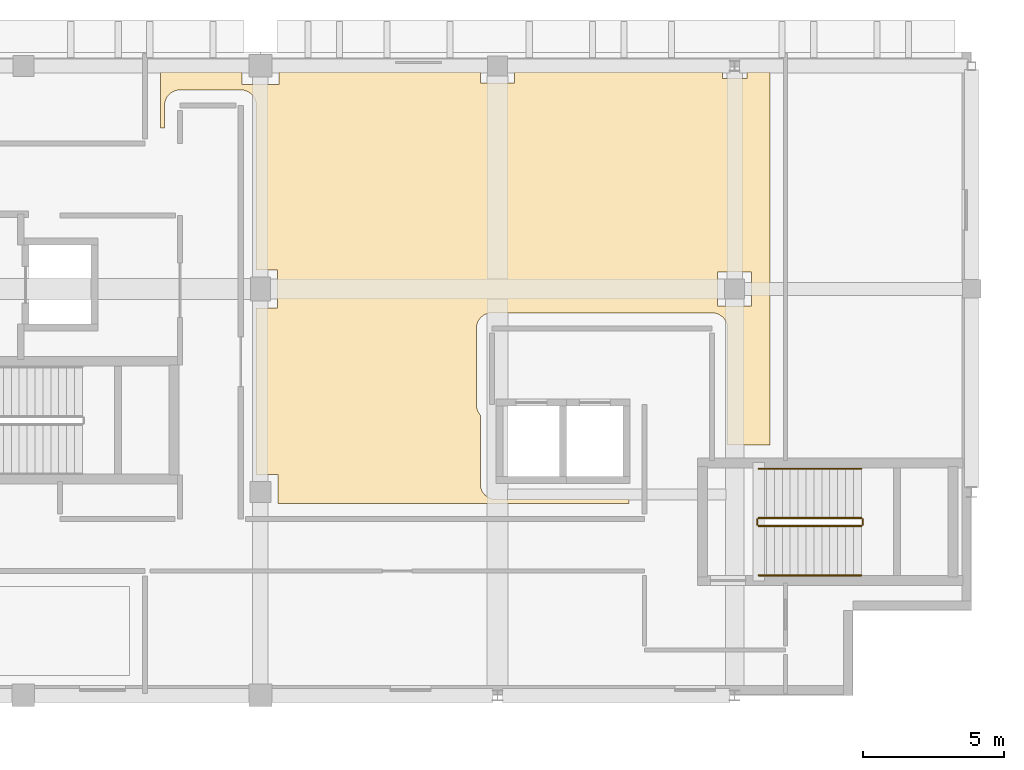
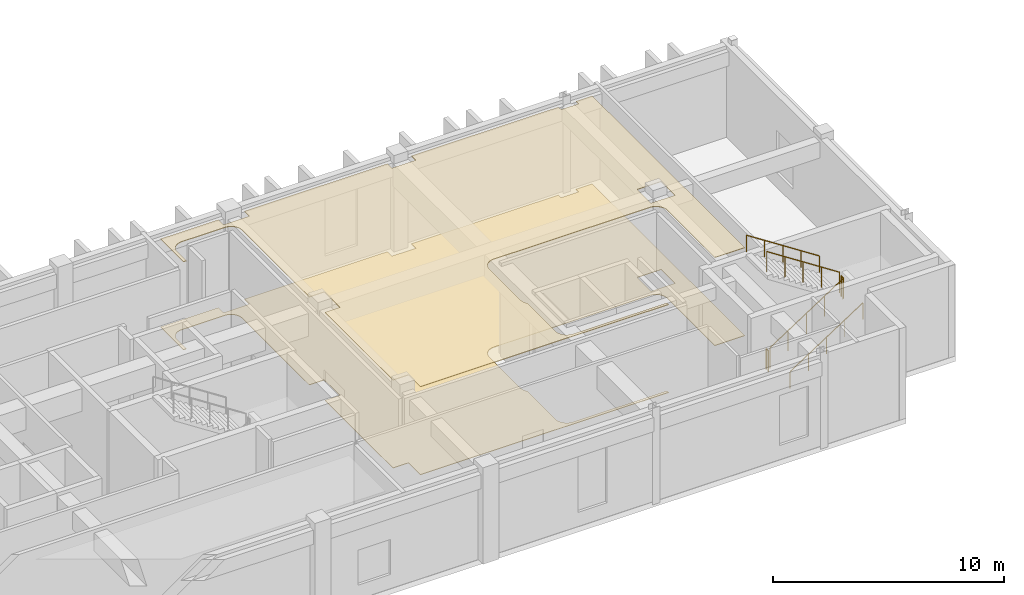
# One storey, part 77 of 78: 6 railings, 2 coverings.
"""IFC4 building model written with IfcOpenShell, lengths in metres."""

from ifc_helpers import new_model, si_unit, direction, frame, origin, origin_2d, place, context, subcontext, project, spatial, polyline, circle, outline, extrude, material, layer, layer_set, type_object, element, save


model = new_model("IFC4")

# Units and contexts
model_context = context("Model", 3, precision=1e-05, world=origin(), true_north=direction((0.0, 1.0)))
body_context = subcontext(model_context, "Body", "Model", "MODEL_VIEW")
ifc_project = project(units=[si_unit("LENGTHUNIT", "METRE"), si_unit("AREAUNIT", "SQUARE_METRE"), si_unit("VOLUMEUNIT", "CUBIC_METRE"), si_unit("PLANEANGLEUNIT", "RADIAN"), si_unit("MASSUNIT", "GRAM", prefix="KILO")], contexts=[model_context])

# Site, building, storey
site_placement = place(None, origin())
site = spatial("IfcSite", under=ifc_project, at=site_placement, CompositionType="ELEMENT")
building_placement = place(site_placement, origin())
building = spatial("IfcBuilding", under=site, at=building_placement, Name="Quendrovan Civic Courthouse", CompositionType="ELEMENT")
storey_placement = place(building_placement, frame((0.0, 0.0, 20.39990234375)))
storey = spatial("IfcBuildingStorey", under=building, at=storey_placement, Name="L05", CompositionType="ELEMENT", Elevation=20.39990234375)

# Coverings
ifc_material_1 = material(Name="Perforated Western Red Cedar and mineral acoustic ceiling")
ifc_layer_1 = layer(ifc_material_1, 0.034912109375, Name="Perforated Western Red Cedar and mineral acoustic ceiling")
ifc_layer_set_1 = layer_set([ifc_layer_1], Name="Perforated Western Red Cedar and mineral acoustic ceiling")
covering_type_1 = type_object("IfcCoveringType", Name="COV-CEIL-ACOUSTIC", PredefinedType="CEILING", material=ifc_layer_set_1)
covering_1_placement = place(storey_placement, frame((0.0, 0.0, 4.64501953125)))
element("IfcCovering", 1, at=covering_1_placement, inside=storey, type_object=covering_type_1, Name="L05 Criminal Courtroom 2 Acoustic Ceiling", PredefinedType="CEILING", context=body_context, shape_type="SweptSolid", body=[
    extrude(outline(polyline([(75.240234375, 101.126220703125), (75.189453125, 101.108154296875), (75.140625, 101.085205078125), (75.094482421875, 101.057373046875), (75.051025390625, 101.025146484375), (75.010986328125, 100.989013671875), (74.974853515625, 100.948974609375), (74.942626953125, 100.905517578125), (74.914794921875, 100.859375), (74.891845703125, 100.810546875), (74.873779296875, 100.759765625), (74.860595703125, 100.707275390625), (74.8525390625, 100.65380859375), (74.85009765625, 100.60009765625), (74.85009765625, 97.89990234375), (74.8525390625, 97.84619140625), (74.860595703125, 97.792724609375), (74.873779296875, 97.740234375), (74.891845703125, 97.689453125), (74.914794921875, 97.640625), (74.942626953125, 97.594482421875), (74.974853515625, 97.551025390625), (74.989990234375, 97.534423828125), (74.989990234375, 95.090087890625), (74.99267578125, 95.0361328125), (75.00048828125, 94.982666015625), (75.013671875, 94.930419921875), (75.031982421875, 94.87939453125), (75.054931640625, 94.830810546875), (75.082763671875, 94.784423828125), (75.11474609375, 94.7412109375), (75.151123046875, 94.701171875), (75.191162109375, 94.664794921875), (75.234375, 94.6328125), (75.28076171875, 94.60498046875), (75.32958984375, 94.581787109375), (75.38037109375, 94.563720703125), (75.4326171875, 94.550537109375), (75.486083984375, 94.54248046875), (75.5400390625, 94.5400390625), (80.25, 94.5400390625), (80.25, 94.39990234375), (67.824951171875, 94.39990234375), (67.824951171875, 95.425048828125), (67.050048828125, 95.425048828125), (67.050048828125, 101.324951171875), (67.800048828125, 101.324951171875), (67.800048828125, 102.675048828125), (67.050048828125, 102.675048828125), (67.050048828125, 108.5), (67.04736328125, 108.553955078125), (67.039306640625, 108.607421875), (67.0263671875, 108.65966796875), (67.008056640625, 108.71044921875), (66.985107421875, 108.75927734375), (66.957275390625, 108.8056640625), (66.92529296875, 108.848876953125), (66.888916015625, 108.888916015625), (66.848876953125, 108.92529296875), (66.8056640625, 108.957275390625), (66.75927734375, 108.985107421875), (66.71044921875, 109.008056640625), (66.65966796875, 109.0263671875), (66.607421875, 109.039306640625), (66.553955078125, 109.04736328125), (66.5, 109.050048828125), (64.35009765625, 109.050048828125), (64.296142578125, 109.04736328125), (64.24267578125, 109.039306640625), (64.190185546875, 109.0263671875), (64.139404296875, 109.008056640625), (64.0908203125, 108.985107421875), (64.04443359375, 108.957275390625), (64.001220703125, 108.92529296875), (63.961181640625, 108.888916015625), (63.9248046875, 108.848876953125), (63.892578125, 108.8056640625), (63.864990234375, 108.75927734375), (63.841796875, 108.71044921875), (63.82373046875, 108.65966796875), (63.810546875, 108.607421875), (63.802490234375, 108.553955078125), (63.800048828125, 108.5), (63.800048828125, 107.699951171875), (63.659912109375, 107.699951171875), (63.659912109375, 109.68994140625), (66.550048828125, 109.68994140625), (66.550048828125, 109.25), (67.85009765625, 109.25), (67.85009765625, 109.68994140625), (75.0, 109.68994140625), (75.0, 109.300048828125), (76.199951171875, 109.300048828125), (76.199951171875, 109.68994140625), (83.56298828125, 109.68994140625), (83.56298828125, 109.464111328125), (84.43701171875, 109.464111328125), (84.43701171875, 109.68994140625), (85.25, 109.68994140625), (85.25, 96.469970703125), (83.75, 96.469970703125), (83.75, 100.60009765625), (83.747314453125, 100.65380859375), (83.739501953125, 100.707275390625), (83.726318359375, 100.759765625), (83.7080078125, 100.810546875), (83.68505859375, 100.859375), (83.6572265625, 100.905517578125), (83.625244140625, 100.948974609375), (83.5888671875, 100.989013671875), (83.548828125, 101.025146484375), (83.505615234375, 101.057373046875), (83.459228515625, 101.085205078125), (83.410400390625, 101.108154296875), (83.359619140625, 101.126220703125), (83.307373046875, 101.139404296875), (83.25390625, 101.1474609375), (83.199951171875, 101.14990234375), (75.39990234375, 101.14990234375), (75.34619140625, 101.1474609375), (75.292724609375, 101.139404296875), (75.240234375, 101.126220703125)]), holes=[polyline([(83.39990234375, 101.39990234375), (84.60009765625, 101.39990234375), (84.60009765625, 102.60009765625), (83.39990234375, 102.60009765625), (83.39990234375, 101.39990234375)])]), origin(), (0.0, 0.0, 1.0), 0.03515625),
])
ifc_material_2 = material(Name="Solid oak courtroom parquet flooring")
ifc_layer_2 = layer(ifc_material_2, 0.02490234375, Name="Solid oak courtroom parquet flooring")
ifc_layer_set_2 = layer_set([ifc_layer_2], Name="Solid oak courtroom parquet flooring")
covering_type_2 = type_object("IfcCoveringType", Name="COV-FLOR-TIMBER", PredefinedType="FLOORING", material=ifc_layer_set_2)
covering_2_placement = place(storey_placement, origin())
element("IfcCovering", 2, at=covering_2_placement, inside=storey, type_object=covering_type_2, Name="L05 Criminal Courtroom 2 Finish Flooring", PredefinedType="FLOORING", context=body_context, shape_type="SweptSolid", body=[
    extrude(outline(polyline([(75.240234375, 101.126220703125), (75.189453125, 101.108154296875), (75.140625, 101.085205078125), (75.094482421875, 101.057373046875), (75.051025390625, 101.025146484375), (75.010986328125, 100.989013671875), (74.974853515625, 100.948974609375), (74.942626953125, 100.905517578125), (74.914794921875, 100.859375), (74.891845703125, 100.810546875), (74.873779296875, 100.759765625), (74.860595703125, 100.707275390625), (74.8525390625, 100.65380859375), (74.85009765625, 100.60009765625), (74.85009765625, 97.89990234375), (74.8525390625, 97.84619140625), (74.860595703125, 97.792724609375), (74.873779296875, 97.740234375), (74.891845703125, 97.689453125), (74.914794921875, 97.640625), (74.942626953125, 97.594482421875), (74.974853515625, 97.551025390625), (74.989990234375, 97.534423828125), (74.989990234375, 95.090087890625), (74.99267578125, 95.0361328125), (75.00048828125, 94.982666015625), (75.013671875, 94.930419921875), (75.031982421875, 94.87939453125), (75.054931640625, 94.830810546875), (75.082763671875, 94.784423828125), (75.11474609375, 94.7412109375), (75.151123046875, 94.701171875), (75.191162109375, 94.664794921875), (75.234375, 94.6328125), (75.28076171875, 94.60498046875), (75.32958984375, 94.581787109375), (75.38037109375, 94.563720703125), (75.4326171875, 94.550537109375), (75.486083984375, 94.54248046875), (75.5400390625, 94.5400390625), (80.25, 94.5400390625), (80.25, 94.39990234375), (67.824951171875, 94.39990234375), (67.824951171875, 95.425048828125), (67.050048828125, 95.425048828125), (67.050048828125, 101.324951171875), (67.800048828125, 101.324951171875), (67.800048828125, 102.675048828125), (67.050048828125, 102.675048828125), (67.050048828125, 108.5), (67.04736328125, 108.553955078125), (67.039306640625, 108.607421875), (67.0263671875, 108.65966796875), (67.008056640625, 108.71044921875), (66.985107421875, 108.75927734375), (66.957275390625, 108.8056640625), (66.92529296875, 108.848876953125), (66.888916015625, 108.888916015625), (66.848876953125, 108.92529296875), (66.8056640625, 108.957275390625), (66.75927734375, 108.985107421875), (66.71044921875, 109.008056640625), (66.65966796875, 109.0263671875), (66.607421875, 109.039306640625), (66.553955078125, 109.04736328125), (66.5, 109.050048828125), (64.35009765625, 109.050048828125), (64.296142578125, 109.04736328125), (64.24267578125, 109.039306640625), (64.190185546875, 109.0263671875), (64.139404296875, 109.008056640625), (64.0908203125, 108.985107421875), (64.04443359375, 108.957275390625), (64.001220703125, 108.92529296875), (63.961181640625, 108.888916015625), (63.9248046875, 108.848876953125), (63.892578125, 108.8056640625), (63.864990234375, 108.75927734375), (63.841796875, 108.71044921875), (63.82373046875, 108.65966796875), (63.810546875, 108.607421875), (63.802490234375, 108.553955078125), (63.800048828125, 108.5), (63.800048828125, 107.699951171875), (63.659912109375, 107.699951171875), (63.659912109375, 109.68994140625), (66.550048828125, 109.68994140625), (66.550048828125, 109.25), (67.85009765625, 109.25), (67.85009765625, 109.68994140625), (75.0, 109.68994140625), (75.0, 109.300048828125), (76.199951171875, 109.300048828125), (76.199951171875, 109.68994140625), (83.56298828125, 109.68994140625), (83.56298828125, 109.464111328125), (84.43701171875, 109.464111328125), (84.43701171875, 109.68994140625), (85.25, 109.68994140625), (85.25, 96.469970703125), (83.75, 96.469970703125), (83.75, 100.60009765625), (83.747314453125, 100.65380859375), (83.739501953125, 100.707275390625), (83.726318359375, 100.759765625), (83.7080078125, 100.810546875), (83.68505859375, 100.859375), (83.6572265625, 100.905517578125), (83.625244140625, 100.948974609375), (83.5888671875, 100.989013671875), (83.548828125, 101.025146484375), (83.505615234375, 101.057373046875), (83.459228515625, 101.085205078125), (83.410400390625, 101.108154296875), (83.359619140625, 101.126220703125), (83.307373046875, 101.139404296875), (83.25390625, 101.1474609375), (83.199951171875, 101.14990234375), (75.39990234375, 101.14990234375), (75.34619140625, 101.1474609375), (75.292724609375, 101.139404296875), (75.240234375, 101.126220703125)]), holes=[polyline([(83.39990234375, 101.39990234375), (84.60009765625, 101.39990234375), (84.60009765625, 102.60009765625), (83.39990234375, 102.60009765625), (83.39990234375, 101.39990234375)])]), origin(), (0.0, 0.0, 1.0), 0.025146484375),
])

# Railings
ifc_material_3 = material(Name="Painted galvanized steel", Category="steel")
railing_type_1 = type_object("IfcRailingType", Name="RL-STR-GUARD1100", PredefinedType="GUARDRAIL", material=ifc_material_3)
railing_1_placement = place(storey_placement, frame((84.85009765625, 93.60009765625, 0.18212890625)))
element("IfcRailing", 3, at=railing_1_placement, inside=storey, type_object=railing_type_1, Name="L05 ST3 stair guard 1", PredefinedType="GUARDRAIL", context=body_context, shape_type="SweptSolid", body=[
    extrude(circle(Radius=0.02392578125, at=origin_2d()), frame((0.0, 0.0, 1.076171875), z_axis=(0.838234174257, 0.0, 0.545310433706), x_axis=(0.0, 1.0, 0.0)), (0.0, 0.0, 1.0), 4.34228515625),
    extrude(circle(Radius=0.02099609375, at=origin_2d()), origin(), (0.0, 0.0, 1.0), 1.052001953125),
    extrude(circle(Radius=0.02099609375, at=origin_2d()), frame((0.909912109375, 0.0, 0.592041015625)), (0.0, 0.0, 1.0), 1.052001953125),
    extrude(circle(Radius=0.02099609375, at=origin_2d()), frame((1.81982421875, 0.0, 1.18408203125)), (0.0, 0.0, 1.0), 1.052001953125),
    extrude(circle(Radius=0.02099609375, at=origin_2d()), frame((2.72998046875, 0.0, 1.77587890625)), (0.0, 0.0, 1.0), 1.052001953125),
    extrude(circle(Radius=0.02099609375, at=origin_2d()), frame((3.639892578125, 0.0, 2.367919921875)), (0.0, 0.0, 1.0), 1.052001953125),
])
railing_2_placement = place(storey_placement, frame((88.5400390625, 93.64990234375, 2.550048828125)))
element("IfcRailing", 4, at=railing_2_placement, inside=storey, type_object=railing_type_1, Name="L05 ST3 stair guard 2", PredefinedType="GUARDRAIL", context=body_context, shape_type="SweptSolid", body=[
    extrude(circle(Radius=0.02392578125, at=origin_2d()), frame((0.0, 0.0, 1.076171875), z_axis=(0.0, 1.0, 0.0), x_axis=(-1.0, 0.0, 0.0)), (0.0, 0.0, 1.0), 0.18017578125),
    extrude(circle(Radius=0.02099609375, at=origin_2d()), origin(), (0.0, 0.0, 1.0), 1.052001953125),
    extrude(circle(Radius=0.02099609375, at=origin_2d()), frame((0.0, 0.18017578125, 0.0)), (0.0, 0.0, 1.0), 1.052001953125),
])
railing_3_placement = place(storey_placement, frame((88.489990234375, 93.8798828125, 2.732177734375)))
element("IfcRailing", 5, at=railing_3_placement, inside=storey, type_object=railing_type_1, Name="L05 ST3 stair guard 3", PredefinedType="GUARDRAIL", context=body_context, shape_type="SweptSolid", body=[
    extrude(circle(Radius=0.02392578125, at=origin_2d()), frame((0.0, 0.0, 1.076171875), z_axis=(-0.838234174257, 0.0, 0.545310433706), x_axis=(0.0, -1.0, 0.0)), (0.0, 0.0, 1.0), 4.34228515625),
    extrude(circle(Radius=0.02099609375, at=origin_2d()), origin(), (0.0, 0.0, 1.0), 1.052001953125),
    extrude(circle(Radius=0.02099609375, at=origin_2d()), frame((-0.909912109375, 0.0, 0.592041015625)), (0.0, 0.0, 1.0), 1.052001953125),
    extrude(circle(Radius=0.02099609375, at=origin_2d()), frame((-1.81982421875, 0.0, 1.18408203125)), (0.0, 0.0, 1.0), 1.052001953125),
    extrude(circle(Radius=0.02099609375, at=origin_2d()), frame((-2.72998046875, 0.0, 1.77587890625)), (0.0, 0.0, 1.0), 1.052001953125),
    extrude(circle(Radius=0.02099609375, at=origin_2d()), frame((-3.639892578125, 0.0, 2.367919921875)), (0.0, 0.0, 1.0), 1.052001953125),
])
railing_4_placement = place(storey_placement, frame((84.800048828125, 93.64990234375, 0.0)))
element("IfcRailing", 6, at=railing_4_placement, inside=storey, type_object=railing_type_1, Name="L05 ST3 stair guard 4", PredefinedType="GUARDRAIL", context=body_context, shape_type="SweptSolid", body=[
    extrude(circle(Radius=0.02392578125, at=origin_2d()), frame((0.0, 0.0, 1.076171875), z_axis=(0.0, 1.0, 0.0), x_axis=(-1.0, 0.0, 0.0)), (0.0, 0.0, 1.0), 0.18017578125),
    extrude(circle(Radius=0.02099609375, at=origin_2d()), origin(), (0.0, 0.0, 1.0), 1.052001953125),
    extrude(circle(Radius=0.02099609375, at=origin_2d()), frame((0.0, 0.18017578125, 0.0)), (0.0, 0.0, 1.0), 1.052001953125),
])
ifc_material_4 = material(Name="Bronze anodised aluminium", Category="aluminium")
railing_type_2 = type_object("IfcRailingType", Name="RL-STR-HAND900", PredefinedType="HANDRAIL", material=ifc_material_4)
railing_5_placement = place(storey_placement, frame((84.85009765625, 91.85009765625, 0.18212890625)))
element("IfcRailing", 7, at=railing_5_placement, inside=storey, type_object=railing_type_2, Name="L05 ST3 stair handrail 1", PredefinedType="HANDRAIL", context=body_context, shape_type="SweptSolid", body=[
    extrude(circle(Radius=0.02392578125, at=origin_2d()), frame((0.0, 0.0, 0.8759765625), z_axis=(0.838234174257, 0.0, 0.545310433706), x_axis=(0.0, 1.0, 0.0)), (0.0, 0.0, 1.0), 4.34228515625),
    extrude(circle(Radius=0.02099609375, at=origin_2d()), origin(), (0.0, 0.0, 1.0), 0.851806640625),
    extrude(circle(Radius=0.02099609375, at=origin_2d()), frame((0.909912109375, 0.0, 0.592041015625)), (0.0, 0.0, 1.0), 0.851806640625),
    extrude(circle(Radius=0.02099609375, at=origin_2d()), frame((1.81982421875, 0.0, 1.18408203125)), (0.0, 0.0, 1.0), 0.851806640625),
    extrude(circle(Radius=0.02099609375, at=origin_2d()), frame((2.72998046875, 0.0, 1.77587890625)), (0.0, 0.0, 1.0), 0.851806640625),
    extrude(circle(Radius=0.02099609375, at=origin_2d()), frame((3.639892578125, 0.0, 2.367919921875)), (0.0, 0.0, 1.0), 0.851806640625),
])
railing_6_placement = place(storey_placement, frame((88.489990234375, 95.6298828125, 2.732177734375)))
element("IfcRailing", 8, at=railing_6_placement, inside=storey, type_object=railing_type_2, Name="L05 ST3 stair handrail 2", PredefinedType="HANDRAIL", context=body_context, shape_type="SweptSolid", body=[
    extrude(circle(Radius=0.02392578125, at=origin_2d()), frame((0.0, 0.0, 0.8759765625), z_axis=(-0.838234174257, 0.0, 0.545310433706), x_axis=(0.0, -1.0, 0.0)), (0.0, 0.0, 1.0), 4.34228515625),
    extrude(circle(Radius=0.02099609375, at=origin_2d()), origin(), (0.0, 0.0, 1.0), 0.851806640625),
    extrude(circle(Radius=0.02099609375, at=origin_2d()), frame((-0.909912109375, 0.0, 0.592041015625)), (0.0, 0.0, 1.0), 0.851806640625),
    extrude(circle(Radius=0.02099609375, at=origin_2d()), frame((-1.81982421875, 0.0, 1.18408203125)), (0.0, 0.0, 1.0), 0.851806640625),
    extrude(circle(Radius=0.02099609375, at=origin_2d()), frame((-2.72998046875, 0.0, 1.77587890625)), (0.0, 0.0, 1.0), 0.851806640625),
    extrude(circle(Radius=0.02099609375, at=origin_2d()), frame((-3.639892578125, 0.0, 2.367919921875)), (0.0, 0.0, 1.0), 0.851806640625),
])

save(model, "model.ifc")
